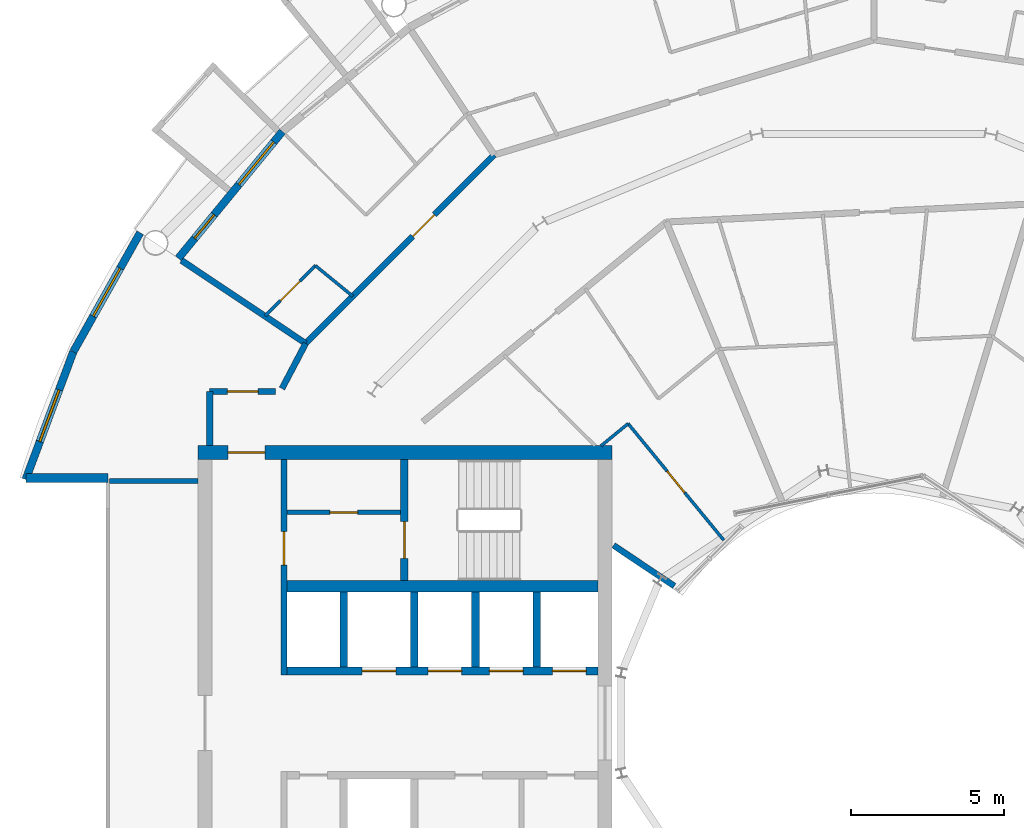
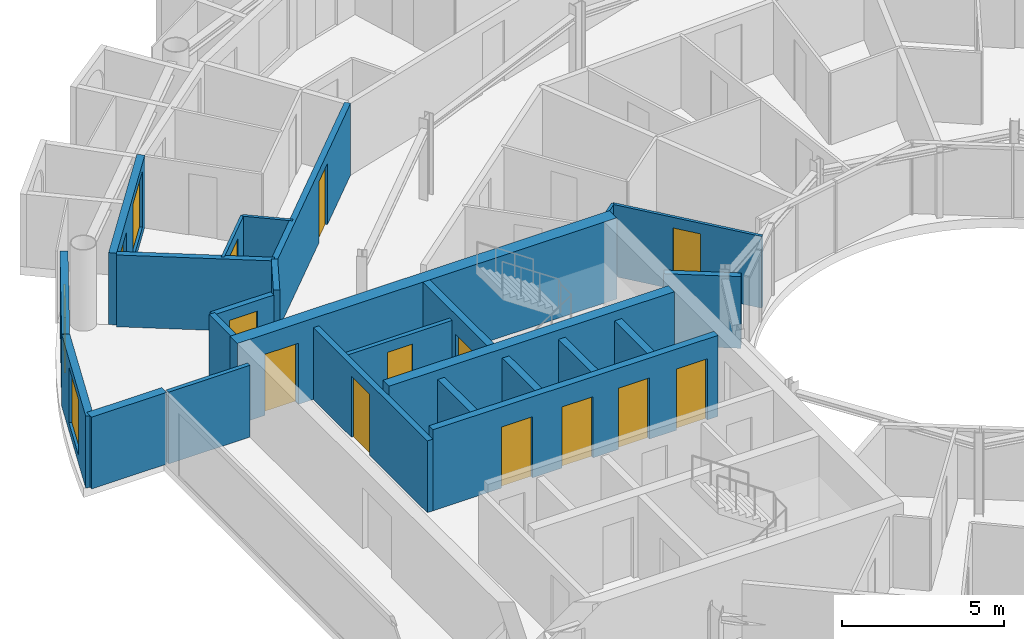
# One storey, part 20 of 29: 25 walls, 13 doors, 3 windows, 16 openings.
"""IFC4 building model written with IfcOpenShell, lengths in metres."""

from ifc_helpers import new_model, si_unit, direction, frame, frame_2d, origin, place, context, subcontext, project, spatial, rectangle, extrude, material, layer, layer_set, type_object, element, fill, save


model = new_model("IFC4")

# Units and contexts
model_context = context("Model", 3, precision=1e-05, world=origin(), true_north=direction((0.0, 1.0)))
body_context = subcontext(model_context, "Body", "Model", "MODEL_VIEW")
ifc_project = project(units=[si_unit("LENGTHUNIT", "METRE"), si_unit("AREAUNIT", "SQUARE_METRE"), si_unit("VOLUMEUNIT", "CUBIC_METRE"), si_unit("PLANEANGLEUNIT", "RADIAN"), si_unit("MASSUNIT", "GRAM", prefix="KILO")], contexts=[model_context])

# Site, building, storey
site_placement = place(None, origin())
site = spatial("IfcSite", under=ifc_project, at=site_placement, CompositionType="ELEMENT")
building_placement = place(site_placement, origin())
building = spatial("IfcBuilding", under=site, at=building_placement, Name="Maasbend Ring Residences", CompositionType="ELEMENT")
storey_placement = place(building_placement, frame((0.0, 0.0, 205.449951171875)))
storey = spatial("IfcBuildingStorey", under=building, at=storey_placement, Name="L59", CompositionType="ELEMENT", Elevation=205.449951171875)

# Wall, openings, doors
ifc_material_1 = material(Name="Concrete C50/60", Category="concrete")
ifc_layer_1 = layer(ifc_material_1, 0.25)
ifc_layer_set_1 = layer_set([ifc_layer_1], Name="Concrete C50/60")
wall_type_1 = type_object("IfcWallType", Name="CORE WALL 250 C50/60", PredefinedType="SHEAR", material=ifc_layer_set_1)
wall_1_placement = place(storey_placement, frame((-9.0, 1.699951171875, 0.0), z_axis=(0.0, 0.0, 1.0), x_axis=(-1.0, 0.0, 0.0)))
wall_1 = element("IfcWall", 1, at=wall_1_placement, inside=storey, type_object=wall_type_1, Name="L59 core W wall SPS", PredefinedType="SHEAR", context=body_context, shape_type="SweptSolid", body=[
    extrude(rectangle(XDim=10.14990234375, YDim=0.25, at=frame_2d((5.074951171875, 0.0))), origin(), (0.0, 0.0, 1.0), 3.050048828125),
])
opening_1_placement = place(wall_1_placement, frame((0.387451171875, 0.0, 0.0)))
opening_1 = element("IfcOpeningElement", 2, at=opening_1_placement, cuts=wall_1, Name="Opening LD-W5902", PredefinedType="OPENING", context=body_context, shape_type="SweptSolid", body=[
    extrude(rectangle(XDim=1.10009765625, YDim=2.300048828125, at=frame_2d((0.550048828125, 1.14990234375))), frame((0.0, 0.135009765625, 0.0), z_axis=(0.0, -1.0, 0.0), x_axis=(1.0, 0.0, 0.0)), (0.0, 0.0, 1.0), 0.27001953125),
])
opening_2_placement = place(wall_1_placement, frame((2.449951171875, 0.0, 0.0)))
opening_2 = element("IfcOpeningElement", 3, at=opening_2_placement, cuts=wall_1, Name="Opening LD-W5903", PredefinedType="OPENING", context=body_context, shape_type="SweptSolid", body=[
    extrude(rectangle(XDim=1.10009765625, YDim=2.300048828125, at=frame_2d((0.550048828125, 1.14990234375))), frame((0.0, 0.135009765625, 0.0), z_axis=(0.0, -1.0, 0.0), x_axis=(1.0, 0.0, 0.0)), (0.0, 0.0, 1.0), 0.27001953125),
])
opening_3_placement = place(wall_1_placement, frame((4.449951171875, 0.0, 0.0)))
opening_3 = element("IfcOpeningElement", 4, at=opening_3_placement, cuts=wall_1, Name="Opening LD-W5904", PredefinedType="OPENING", context=body_context, shape_type="SweptSolid", body=[
    extrude(rectangle(XDim=1.10009765625, YDim=2.300048828125, at=frame_2d((0.550048828125, 1.14990234375))), frame((0.0, 0.135009765625, 0.0), z_axis=(0.0, -1.0, 0.0), x_axis=(1.0, 0.0, 0.0)), (0.0, 0.0, 1.0), 0.27001953125),
])
opening_4_placement = place(wall_1_placement, frame((6.60009765625, 0.0, 0.0)))
opening_4 = element("IfcOpeningElement", 5, at=opening_4_placement, cuts=wall_1, Name="Opening LD-W5905", PredefinedType="OPENING", context=body_context, shape_type="SweptSolid", body=[
    extrude(rectangle(XDim=1.10009765625, YDim=2.300048828125, at=frame_2d((0.550048828125, 1.14990234375))), frame((0.0, 0.135009765625, 0.0), z_axis=(0.0, -1.0, 0.0), x_axis=(1.0, 0.0, 0.0)), (0.0, 0.0, 1.0), 0.27001953125),
])
ifc_material_2 = material(Name="Stainless steel 316", Category="steel")
door_type_1 = type_object("IfcDoorType", Name="LANDING DOOR 1100 X 2300 FD60", OperationType="DOUBLE_DOOR_SLIDING", PredefinedType="DOOR", material=ifc_material_2)
door_1_placement = place(opening_1_placement, origin())
door_1 = element("IfcDoor", 6, at=door_1_placement, inside=storey, type_object=door_type_1, Name="Landing door HR-W1 L59", OperationType="DOUBLE_DOOR_SLIDING", OverallHeight=2.300048828125, OverallWidth=1.10009765625, PredefinedType="DOOR", context=body_context, shape_type="SweptSolid", body=[
    extrude(rectangle(XDim=1.10009765625, YDim=2.300048828125, at=frame_2d((0.550048828125, 1.14990234375))), frame((0.0, 0.02490234375, 0.0), z_axis=(0.0, -1.0, 0.0), x_axis=(1.0, 0.0, 0.0)), (0.0, 0.0, 1.0), 0.050048828125),
])
fill(opening_1, door_1)
door_2_placement = place(opening_2_placement, origin())
door_2 = element("IfcDoor", 7, at=door_2_placement, inside=storey, type_object=door_type_1, Name="Landing door HR-W2 L59", OperationType="DOUBLE_DOOR_SLIDING", OverallHeight=2.300048828125, OverallWidth=1.10009765625, PredefinedType="DOOR", context=body_context, shape_type="SweptSolid", body=[
    extrude(rectangle(XDim=1.10009765625, YDim=2.300048828125, at=frame_2d((0.550048828125, 1.14990234375))), frame((0.0, 0.02490234375, 0.0), z_axis=(0.0, -1.0, 0.0), x_axis=(1.0, 0.0, 0.0)), (0.0, 0.0, 1.0), 0.050048828125),
])
fill(opening_2, door_2)
door_3_placement = place(opening_3_placement, origin())
door_3 = element("IfcDoor", 8, at=door_3_placement, inside=storey, type_object=door_type_1, Name="Landing door HR-W3 L59", OperationType="DOUBLE_DOOR_SLIDING", OverallHeight=2.300048828125, OverallWidth=1.10009765625, PredefinedType="DOOR", context=body_context, shape_type="SweptSolid", body=[
    extrude(rectangle(XDim=1.10009765625, YDim=2.300048828125, at=frame_2d((0.550048828125, 1.14990234375))), frame((0.0, 0.02490234375, 0.0), z_axis=(0.0, -1.0, 0.0), x_axis=(1.0, 0.0, 0.0)), (0.0, 0.0, 1.0), 0.050048828125),
])
fill(opening_3, door_3)
door_4_placement = place(opening_4_placement, origin())
door_4 = element("IfcDoor", 9, at=door_4_placement, inside=storey, type_object=door_type_1, Name="Landing door SV-W L59", OperationType="DOUBLE_DOOR_SLIDING", OverallHeight=2.300048828125, OverallWidth=1.10009765625, PredefinedType="DOOR", context=body_context, shape_type="SweptSolid", body=[
    extrude(rectangle(XDim=1.10009765625, YDim=2.300048828125, at=frame_2d((0.550048828125, 1.14990234375))), frame((0.0, 0.02490234375, 0.0), z_axis=(0.0, -1.0, 0.0), x_axis=(1.0, 0.0, 0.0)), (0.0, 0.0, 1.0), 0.050048828125),
])
fill(opening_4, door_4)

# Wall, opening, door
wall_2_placement = place(storey_placement, frame((-15.324951171875, 8.60009765625, 0.0), z_axis=(0.0, 0.0, 1.0), x_axis=(0.0, -1.0, 0.0)))
wall_2 = element("IfcWall", 10, at=wall_2_placement, inside=storey, type_object=wall_type_1, Name="L59 core W wall STES", PredefinedType="SHEAR", context=body_context, shape_type="SweptSolid", body=[
    extrude(rectangle(XDim=3.9501953125, YDim=0.25, at=frame_2d((1.97509765625, 0.0))), origin(), (0.0, 0.0, 1.0), 3.050048828125),
])
opening_5_placement = place(wall_2_placement, frame((2.02490234375, 0.0, 0.0)))
opening_5 = element("IfcOpeningElement", 11, at=opening_5_placement, cuts=wall_2, Name="Opening D-W5911", PredefinedType="OPENING", context=body_context, shape_type="SweptSolid", body=[
    extrude(rectangle(XDim=1.199951171875, YDim=2.300048828125, at=frame_2d((0.60009765625, 1.14990234375))), frame((0.0, 0.135009765625, 0.0), z_axis=(0.0, -1.0, 0.0), x_axis=(1.0, 0.0, 0.0)), (0.0, 0.0, 1.0), 0.27001953125),
])
ifc_material_3 = material(Name="Steel, powder coated", Category="steel")
door_type_2 = type_object("IfcDoorType", Name="STAIR DOOR 1200 X 2300 FD60", OperationType="NOTDEFINED", PredefinedType="DOOR", material=ifc_material_3)
door_5_placement = place(opening_5_placement, origin())
door_5 = element("IfcDoor", 12, at=door_5_placement, inside=storey, type_object=door_type_2, Name="Stair door ST-W L59", OperationType="SINGLE_SWING_LEFT", OverallHeight=2.300048828125, OverallWidth=1.199951171875, PredefinedType="DOOR", context=body_context, shape_type="SweptSolid", body=[
    extrude(rectangle(XDim=1.199951171875, YDim=2.300048828125, at=frame_2d((0.60009765625, 1.14990234375))), frame((0.0, 0.02490234375, 0.0), z_axis=(0.0, -1.0, 0.0), x_axis=(1.0, 0.0, 0.0)), (0.0, 0.0, 1.0), 0.050048828125),
])
fill(opening_5, door_5)

# Wall
ifc_material_4 = material(Name="Concrete C50/60", Category="concrete")
ifc_layer_2 = layer(ifc_material_4, 0.375)
ifc_layer_set_2 = layer_set([ifc_layer_2], Name="Concrete C50/60")
wall_type_2 = type_object("IfcWallType", Name="CORE WALL 375 C50/60", PredefinedType="SHEAR", material=ifc_layer_set_2)
wall_3_placement = place(storey_placement, frame((-9.0, 4.46240234375, 0.0), z_axis=(0.0, 0.0, 1.0), x_axis=(-1.0, 0.0, 0.0)))
element("IfcWall", 13, at=wall_3_placement, inside=storey, type_object=wall_type_2, Name="L59 core W wall BS", PredefinedType="SHEAR", context=body_context, shape_type="SweptSolid", body=[
    extrude(rectangle(XDim=10.14990234375, YDim=0.375, at=frame_2d((5.074951171875, 0.0))), origin(), (0.0, 0.0, 1.0), 3.050048828125),
])

# Wall, opening, door
ifc_material_5 = material(Name="Concrete C50/60", Category="concrete")
ifc_layer_3 = layer(ifc_material_5, 0.449951171875)
ifc_layer_set_3 = layer_set([ifc_layer_3], Name="Concrete C50/60")
wall_type_3 = type_object("IfcWallType", Name="CORE WALL 450 C50/60", PredefinedType="SHEAR", material=ifc_layer_set_3)
wall_4_placement = place(storey_placement, frame((-8.550048828125, 8.824951171875, 0.0), z_axis=(0.0, 0.0, 1.0), x_axis=(-1.0, 0.0, 0.0)))
wall_4 = element("IfcWall", 14, at=wall_4_placement, inside=storey, type_object=wall_type_3, Name="L59 core W wall PS", PredefinedType="SHEAR", context=body_context, shape_type="SweptSolid", body=[
    extrude(rectangle(XDim=13.5, YDim=0.449951171875, at=frame_2d((6.75, 0.0))), origin(), (0.0, 0.0, 1.0), 3.050048828125),
])
opening_6_placement = place(wall_4_placement, frame((11.324951171875, 0.0, 0.0)))
opening_6 = element("IfcOpeningElement", 15, at=opening_6_placement, cuts=wall_4, Name="Opening D-W5915", PredefinedType="OPENING", context=body_context, shape_type="SweptSolid", body=[
    extrude(rectangle(XDim=1.199951171875, YDim=2.300048828125, at=frame_2d((0.60009765625, 1.14990234375))), frame((0.0, 0.23486328125, 0.0), z_axis=(0.0, -1.0, 0.0), x_axis=(1.0, 0.0, 0.0)), (0.0, 0.0, 1.0), 0.469970703125),
])
ifc_material_6 = material(Name="Steel, powder coated", Category="steel")
door_type_3 = type_object("IfcDoorType", Name="CORRIDOR DOOR 1200 X 2300 FD30S", OperationType="NOTDEFINED", PredefinedType="DOOR", material=ifc_material_6)
door_6_placement = place(opening_6_placement, origin())
door_6 = element("IfcDoor", 16, at=door_6_placement, inside=storey, type_object=door_type_3, Name="Corridor door L59", OperationType="SINGLE_SWING_LEFT", OverallHeight=2.300048828125, OverallWidth=1.199951171875, PredefinedType="DOOR", context=body_context, shape_type="SweptSolid", body=[
    extrude(rectangle(XDim=1.199951171875, YDim=2.300048828125, at=frame_2d((0.60009765625, 1.14990234375))), frame((0.0, 0.02490234375, 0.0), z_axis=(0.0, -1.0, 0.0), x_axis=(1.0, 0.0, 0.0)), (0.0, 0.0, 1.0), 0.050048828125),
])
fill(opening_6, door_6)

ifc_material_7 = material(Name="Concrete C30/37", Category="concrete")
ifc_layer_4 = layer(ifc_material_7, 0.199951171875)
ifc_layer_set_4 = layer_set([ifc_layer_4], Name="Concrete C30/37")
wall_type_4 = type_object("IfcWallType", Name="CORRIDOR WALL 200 CONCRETE", PredefinedType="PARTITIONING", material=ifc_layer_set_4)
wall_5_placement = place(storey_placement, frame((-21.675048828125, 10.824951171875, 0.0), z_axis=(0.0, 0.0, 1.0), x_axis=(1.0, 0.0, 0.0)))
wall_5 = element("IfcWall", 17, at=wall_5_placement, inside=storey, type_object=wall_type_4, Name="U-L59-w093", PredefinedType="PARTITIONING", context=body_context, shape_type="SweptSolid", body=[
    extrude(rectangle(XDim=2.152099609375, YDim=0.199951171875, at=frame_2d((1.076171875, 0.0))), origin(), (0.0, 0.0, 1.0), 2.699951171875),
])
opening_7_placement = place(wall_5_placement, frame((0.575927734375, 0.0, 0.0)))
opening_7 = element("IfcOpeningElement", 18, at=opening_7_placement, cuts=wall_5, Name="Opening D-5969", PredefinedType="OPENING", context=body_context, shape_type="SweptSolid", body=[
    extrude(rectangle(XDim=1.0, YDim=2.300048828125, at=frame_2d((0.5, 1.14990234375))), frame((0.0, 0.10986328125, 0.0), z_axis=(0.0, -1.0, 0.0), x_axis=(1.0, 0.0, 0.0)), (0.0, 0.0, 1.0), 0.219970703125),
])
ifc_material_8 = material(Name="Timber, painted", Category="wood")
door_type_4 = type_object("IfcDoorType", Name="ROOM DOOR 1000 X 2300", OperationType="NOTDEFINED", PredefinedType="DOOR", material=ifc_material_8)
door_7_placement = place(opening_7_placement, origin())
door_7 = element("IfcDoor", 19, at=door_7_placement, inside=storey, type_object=door_type_4, Name="D-5969", OperationType="SINGLE_SWING_LEFT", OverallHeight=2.300048828125, OverallWidth=1.0, PredefinedType="DOOR", context=body_context, shape_type="SweptSolid", body=[
    extrude(rectangle(XDim=1.0, YDim=2.300048828125, at=frame_2d((0.5, 1.14990234375))), frame((0.0, 0.02490234375, 0.0), z_axis=(0.0, -1.0, 0.0), x_axis=(1.0, 0.0, 0.0)), (0.0, 0.0, 1.0), 0.050048828125),
])
fill(opening_7, door_7)

# Wall
wall_6_placement = place(storey_placement, frame((-21.675048828125, 9.050048828125, 0.0), z_axis=(0.0, 0.0, 1.0), x_axis=(0.0, 1.0, 0.0)))
element("IfcWall", 20, at=wall_6_placement, inside=storey, type_object=wall_type_4, Name="U-L59-w106", PredefinedType="PARTITIONING", context=body_context, shape_type="SweptSolid", body=[
    extrude(rectangle(XDim=1.77490234375, YDim=0.199951171875, at=frame_2d((0.887451171875, 0.0))), origin(), (0.0, 0.0, 1.0), 2.699951171875),
])

# Wall, opening, door
wall_7_placement = place(storey_placement, frame((-18.5419921875, 12.388916015625, 0.0), z_axis=(0.0, 0.0, 1.0), x_axis=(0.707106781187, 0.707106781187, 0.0)))
wall_7 = element("IfcWall", 21, at=wall_7_placement, inside=storey, type_object=wall_type_4, Name="U-L59-w107", PredefinedType="PARTITIONING", context=body_context, shape_type="SweptSolid", body=[
    extrude(rectangle(XDim=8.70166015625, YDim=0.199951171875, at=frame_2d((4.350830078125, 0.0))), origin(), (0.0, 0.0, 1.0), 2.699951171875),
])
opening_8_placement = place(wall_7_placement, frame((4.93798828125, 0.0, 0.0)))
opening_8 = element("IfcOpeningElement", 22, at=opening_8_placement, cuts=wall_7, Name="Opening D-5917", PredefinedType="OPENING", context=body_context, shape_type="SweptSolid", body=[
    extrude(rectangle(XDim=1.0, YDim=2.300048828125, at=frame_2d((0.5, 1.14990234375))), frame((0.0, 0.10986328125, 0.0), z_axis=(0.0, -1.0, 0.0), x_axis=(1.0, 0.0, 0.0)), (0.0, 0.0, 1.0), 0.219970703125),
])
ifc_material_9 = material(Name="Timber, fire-rated, painted", Category="wood")
door_type_5 = type_object("IfcDoorType", Name="FLAT ENTRANCE DOOR 1000 X 2300 FIRE-RATED", OperationType="NOTDEFINED", PredefinedType="DOOR", material=ifc_material_9)
door_8_placement = place(opening_8_placement, origin())
door_8 = element("IfcDoor", 23, at=door_8_placement, inside=storey, type_object=door_type_5, Name="D-5917", OperationType="SINGLE_SWING_RIGHT", OverallHeight=2.300048828125, OverallWidth=1.0, PredefinedType="DOOR", context=body_context, shape_type="SweptSolid", body=[
    extrude(rectangle(XDim=1.0, YDim=2.300048828125, at=frame_2d((0.5, 1.14990234375))), frame((0.0, 0.02490234375, 0.0), z_axis=(0.0, -1.0, 0.0), x_axis=(1.0, 0.0, 0.0)), (0.0, 0.0, 1.0), 0.050048828125),
])
fill(opening_8, door_8)

# Wall
wall_8_placement = place(storey_placement, frame((-19.31689453125, 10.9150390625, 0.0), z_axis=(0.0, 0.0, 1.0), x_axis=(0.465359652486, 0.885121683068, 0.0)))
element("IfcWall", 24, at=wall_8_placement, inside=storey, type_object=wall_type_4, Name="U-L59-w111", PredefinedType="PARTITIONING", context=body_context, shape_type="SweptSolid", body=[
    extrude(rectangle(XDim=1.665283203125, YDim=0.199951171875, at=frame_2d((0.83251953125, 0.0))), origin(), (0.0, 0.0, 1.0), 2.699951171875),
])

# Wall, openings, door, window
ifc_material_10 = material(Name="Aluminium clad insulated panel", Category="aluminium")
ifc_layer_5 = layer(ifc_material_10, 0.25)
ifc_layer_set_5 = layer_set([ifc_layer_5], Name="EW-GL")
wall_type_5 = type_object("IfcWallType", Name="EW-GL", PredefinedType="SOLIDWALL", material=ifc_layer_set_5)
wall_9_placement = place(storey_placement, frame((-19.303955078125, 19.303955078125, 0.0), z_axis=(0.0, 0.0, 1.0), x_axis=(-0.634382322723, -0.773019449054, 0.0)))
wall_9 = element("IfcWall", 25, at=wall_9_placement, inside=storey, type_object=wall_type_5, Name="External wall N10", PredefinedType="SOLIDWALL", context=body_context, shape_type="SweptSolid", body=[
    extrude(rectangle(XDim=5.351806640625, YDim=0.25, at=frame_2d((2.67578125, 0.0))), origin(), (0.0, 0.0, 1.0), 2.699951171875),
])
opening_9_placement = place(wall_9_placement, frame((0.441162109375, 0.0, 0.300048828125)))
opening_9 = element("IfcOpeningElement", 26, at=opening_9_placement, cuts=wall_9, Name="Opening W-BX", PredefinedType="OPENING", context=body_context, shape_type="SweptSolid", body=[
    extrude(rectangle(XDim=1.800048828125, YDim=2.10009765625, at=frame_2d((0.89990234375, 1.050048828125))), frame((0.0, 0.135009765625, 0.0), z_axis=(0.0, -1.0, 0.0), x_axis=(1.0, 0.0, 0.0)), (0.0, 0.0, 1.0), 0.27001953125),
])
opening_10_placement = place(wall_9_placement, frame((3.510498046875, 0.0, 0.0)))
opening_10 = element("IfcOpeningElement", 27, at=opening_10_placement, cuts=wall_9, Name="Opening D-LG", PredefinedType="OPENING", context=body_context, shape_type="SweptSolid", body=[
    extrude(rectangle(XDim=1.0, YDim=2.199951171875, at=frame_2d((0.5, 1.10009765625))), frame((0.0, 0.135009765625, 0.0), z_axis=(0.0, -1.0, 0.0), x_axis=(1.0, 0.0, 0.0)), (0.0, 0.0, 1.0), 0.27001953125),
])
ifc_material_11 = material(Name="Aluminium and clear glass", Category="aluminium")
door_type_6 = type_object("IfcDoorType", Name="D-LG", OperationType="SINGLE_SWING_LEFT", PredefinedType="DOOR", material=ifc_material_11)
door_9_placement = place(opening_10_placement, origin())
door_9 = element("IfcDoor", 28, at=door_9_placement, inside=storey, type_object=door_type_6, Name="Loggia door N20", OperationType="SINGLE_SWING_LEFT", OverallHeight=2.199951171875, OverallWidth=1.0, PredefinedType="DOOR", context=body_context, shape_type="SweptSolid", body=[
    extrude(rectangle(XDim=1.0, YDim=2.199951171875, at=frame_2d((0.5, 1.10009765625))), frame((0.0, 0.02490234375, 0.0), z_axis=(0.0, -1.0, 0.0), x_axis=(1.0, 0.0, 0.0)), (0.0, 0.0, 1.0), 0.050048828125),
])
fill(opening_10, door_9)
ifc_material_12 = material(Name="Aluminium and clear glass", Category="aluminium")
window_type = type_object("IfcWindowType", Name="W-BX", PartitioningType="DOUBLE_PANEL_VERTICAL", PredefinedType="WINDOW", material=ifc_material_12)
window_1_placement = place(opening_9_placement, origin())
window_1 = element("IfcWindow", 29, at=window_1_placement, inside=storey, type_object=window_type, Name="Window N19 room to box", OverallHeight=2.10009765625, OverallWidth=1.800048828125, PartitioningType="SINGLE_PANEL", PredefinedType="WINDOW", context=body_context, shape_type="SweptSolid", body=[
    extrude(rectangle(XDim=1.800048828125, YDim=2.10009765625, at=frame_2d((0.89990234375, 1.050048828125))), frame((0.0, 0.030029296875, 0.0), z_axis=(0.0, -1.0, 0.0), x_axis=(1.0, 0.0, 0.0)), (0.0, 0.0, 1.0), 0.06005859375),
])
fill(opening_9, window_1)

# Wall, opening, window
ifc_material_13 = material(Name="Aluminium clad insulated panel", Category="aluminium")
ifc_layer_6 = layer(ifc_material_13, 0.25)
ifc_layer_set_6 = layer_set([ifc_layer_6], Name="EW-HORN")
wall_type_6 = type_object("IfcWallType", Name="EW-HORN", PredefinedType="SOLIDWALL", material=ifc_layer_set_6)
wall_10_placement = place(storey_placement, frame((-23.946044921875, 16.0, 0.0), z_axis=(0.0, 0.0, 1.0), x_axis=(-0.489696356642, -0.871893042919, 0.0)))
wall_10 = element("IfcWall", 30, at=wall_10_placement, inside=storey, type_object=wall_type_6, Name="Horn wall 4.1", PredefinedType="SOLIDWALL", context=body_context, shape_type="SweptSolid", body=[
    extrude(rectangle(XDim=4.45361328125, YDim=0.25, at=frame_2d((2.226806640625, 0.0))), origin(), (0.0, 0.0, 1.0), 2.699951171875),
])
opening_11_placement = place(wall_10_placement, frame((1.32666015625, 0.0, 0.300048828125)))
opening_11 = element("IfcOpeningElement", 31, at=opening_11_placement, cuts=wall_10, Name="Opening W-BX", PredefinedType="OPENING", context=body_context, shape_type="SweptSolid", body=[
    extrude(rectangle(XDim=1.800048828125, YDim=2.10009765625, at=frame_2d((0.89990234375, 1.050048828125))), frame((0.0, 0.135009765625, 0.0), z_axis=(0.0, -1.0, 0.0), x_axis=(1.0, 0.0, 0.0)), (0.0, 0.0, 1.0), 0.27001953125),
])
window_2_placement = place(opening_11_placement, origin())
window_2 = element("IfcWindow", 32, at=window_2_placement, inside=storey, type_object=window_type, Name="Horn window 4.1", OverallHeight=2.10009765625, OverallWidth=1.800048828125, PartitioningType="SINGLE_PANEL", PredefinedType="WINDOW", context=body_context, shape_type="SweptSolid", body=[
    extrude(rectangle(XDim=1.800048828125, YDim=2.10009765625, at=frame_2d((0.89990234375, 1.050048828125))), frame((0.0, 0.030029296875, 0.0), z_axis=(0.0, -1.0, 0.0), x_axis=(1.0, 0.0, 0.0)), (0.0, 0.0, 1.0), 0.06005859375),
])
fill(opening_11, window_2)

wall_11_placement = place(storey_placement, frame((-26.126953125, 12.116943359375, 0.0), z_axis=(0.0, 0.0, 1.0), x_axis=(-0.349247811493, -0.937030397675, 0.0)))
wall_11 = element("IfcWall", 33, at=wall_11_placement, inside=storey, type_object=wall_type_6, Name="Horn wall 4.2", PredefinedType="SOLIDWALL", context=body_context, shape_type="SweptSolid", body=[
    extrude(rectangle(XDim=4.4521484375, YDim=0.25, at=frame_2d((2.22607421875, 0.0))), origin(), (0.0, 0.0, 1.0), 2.699951171875),
])
opening_12_placement = place(wall_11_placement, frame((1.32666015625, 0.0, 0.300048828125)))
opening_12 = element("IfcOpeningElement", 34, at=opening_12_placement, cuts=wall_11, Name="Opening W-BX", PredefinedType="OPENING", context=body_context, shape_type="SweptSolid", body=[
    extrude(rectangle(XDim=1.800048828125, YDim=2.10009765625, at=frame_2d((0.89990234375, 1.050048828125))), frame((0.0, 0.135009765625, 0.0), z_axis=(0.0, -1.0, 0.0), x_axis=(1.0, 0.0, 0.0)), (0.0, 0.0, 1.0), 0.27001953125),
])
window_3_placement = place(opening_12_placement, origin())
window_3 = element("IfcWindow", 35, at=window_3_placement, inside=storey, type_object=window_type, Name="Horn window 4.2", OverallHeight=2.10009765625, OverallWidth=1.800048828125, PartitioningType="SINGLE_PANEL", PredefinedType="WINDOW", context=body_context, shape_type="SweptSolid", body=[
    extrude(rectangle(XDim=1.800048828125, YDim=2.10009765625, at=frame_2d((0.89990234375, 1.050048828125))), frame((0.0, 0.030029296875, 0.0), z_axis=(0.0, -1.0, 0.0), x_axis=(1.0, 0.0, 0.0)), (0.0, 0.0, 1.0), 0.06005859375),
])
fill(opening_12, window_3)

# Walls
ifc_material_14 = material(Name="Aluminium clad insulated panel", Category="aluminium")
ifc_layer_7 = layer(ifc_material_14, 0.300048828125)
ifc_layer_set_7 = layer_set([ifc_layer_7], Name="EW-RET")
wall_type_7 = type_object("IfcWallType", Name="EW-RET", PredefinedType="SOLIDWALL", material=ifc_layer_set_7)
wall_12_placement = place(storey_placement, frame((-25.0, 8.0, 0.0), z_axis=(0.0, 0.0, 1.0), x_axis=(-1.0, 0.0, 0.0)))
element("IfcWall", 36, at=wall_12_placement, inside=storey, type_object=wall_type_7, Name="Notch return wall west north", PredefinedType="SOLIDWALL", context=body_context, shape_type="SweptSolid", body=[
    extrude(rectangle(XDim=2.6669921875, YDim=0.300048828125, at=frame_2d((1.33349609375, 0.0))), origin(), (0.0, 0.0, 1.0), 2.699951171875),
])
ifc_material_15 = material(Name="Gypsum board on steel studs", Category="steel")
ifc_layer_8 = layer(ifc_material_15, 0.10009765625)
ifc_layer_set_8 = layer_set([ifc_layer_8], Name="PARTITION 100 GYPSUM")
wall_type_8 = type_object("IfcWallType", Name="PARTITION 100 GYPSUM", PredefinedType="PARTITIONING", material=ifc_layer_set_8)
wall_13_placement = place(storey_placement, frame((-18.22412109375, 14.927001953125, 0.0), z_axis=(0.0, 0.0, 1.0), x_axis=(0.773446828454, -0.633861186344, 0.0)))
element("IfcWall", 37, at=wall_13_placement, inside=storey, type_object=wall_type_8, Name="U-L59-w030", PredefinedType="PARTITIONING", context=body_context, shape_type="SweptSolid", body=[
    extrude(rectangle(XDim=1.57763671875, YDim=0.10009765625, at=frame_2d((0.788818359375, 0.0))), origin(), (0.0, 0.0, 1.0), 2.699951171875),
])

# Wall, opening, door
wall_14_placement = place(storey_placement, frame((-8.01904296875, 9.77099609375, 0.0), z_axis=(0.0, 0.0, 1.0), x_axis=(0.634401778971, -0.773003481776, 0.0)))
wall_14 = element("IfcWall", 38, at=wall_14_placement, inside=storey, type_object=wall_type_8, Name="U-L59-w051", PredefinedType="PARTITIONING", context=body_context, shape_type="SweptSolid", body=[
    extrude(rectangle(XDim=4.919677734375, YDim=0.10009765625, at=frame_2d((2.4599609375, 0.0))), origin(), (0.0, 0.0, 1.0), 2.699951171875),
])
opening_13_placement = place(wall_14_placement, frame((2.010009765625, 0.0, 0.0)))
opening_13 = element("IfcOpeningElement", 39, at=opening_13_placement, cuts=wall_14, Name="Opening D-5933", PredefinedType="OPENING", context=body_context, shape_type="SweptSolid", body=[
    extrude(rectangle(XDim=0.89990234375, YDim=2.300048828125, at=frame_2d((0.449951171875, 1.14990234375))), frame((0.0, 0.06005859375, 0.0), z_axis=(0.0, -1.0, 0.0), x_axis=(1.0, 0.0, 0.0)), (0.0, 0.0, 1.0), 0.1201171875),
])
ifc_material_16 = material(Name="Timber, painted", Category="wood")
door_type_7 = type_object("IfcDoorType", Name="INTERNAL DOOR 900 X 2300", OperationType="NOTDEFINED", PredefinedType="DOOR", material=ifc_material_16)
door_10_placement = place(opening_13_placement, origin())
door_10 = element("IfcDoor", 40, at=door_10_placement, inside=storey, type_object=door_type_7, Name="D-5933", OperationType="SINGLE_SWING_RIGHT", OverallHeight=2.300048828125, OverallWidth=0.89990234375, PredefinedType="DOOR", context=body_context, shape_type="SweptSolid", body=[
    extrude(rectangle(XDim=0.89990234375, YDim=2.300048828125, at=frame_2d((0.449951171875, 1.14990234375))), frame((0.0, 0.02490234375, 0.0), z_axis=(0.0, -1.0, 0.0), x_axis=(1.0, 0.0, 0.0)), (0.0, 0.0, 1.0), 0.050048828125),
])
fill(opening_13, door_10)

# Wall
wall_15_placement = place(storey_placement, frame((-8.902099609375, 9.0458984375, 0.0), z_axis=(0.0, 0.0, 1.0), x_axis=(0.772842270779, 0.63459815986, 0.0)))
element("IfcWall", 41, at=wall_15_placement, inside=storey, type_object=wall_type_8, Name="U-L59-w099", PredefinedType="PARTITIONING", context=body_context, shape_type="SweptSolid", body=[
    extrude(rectangle(XDim=1.142578125, YDim=0.10009765625, at=frame_2d((0.5712890625, 0.0))), origin(), (0.0, 0.0, 1.0), 2.699951171875),
])

# Wall, opening, door
wall_16_placement = place(storey_placement, frame((-19.866943359375, 13.282958984375, 0.0), z_axis=(0.0, 0.0, 1.0), x_axis=(0.707106781187, 0.707106781187, 0.0)))
wall_16 = element("IfcWall", 42, at=wall_16_placement, inside=storey, type_object=wall_type_8, Name="U-L59-w115", PredefinedType="PARTITIONING", context=body_context, shape_type="SweptSolid", body=[
    extrude(rectangle(XDim=2.33203125, YDim=0.10009765625, at=frame_2d((1.166015625, 0.0))), origin(), (0.0, 0.0, 1.0), 2.699951171875),
])
opening_14_placement = place(wall_16_placement, frame((0.708984375, 0.0, 0.0)))
opening_14 = element("IfcOpeningElement", 43, at=opening_14_placement, cuts=wall_16, Name="Opening D-5918", PredefinedType="OPENING", context=body_context, shape_type="SweptSolid", body=[
    extrude(rectangle(XDim=0.89990234375, YDim=2.300048828125, at=frame_2d((0.449951171875, 1.14990234375))), frame((0.0, 0.06005859375, 0.0), z_axis=(0.0, -1.0, 0.0), x_axis=(1.0, 0.0, 0.0)), (0.0, 0.0, 1.0), 0.1201171875),
])
door_11_placement = place(opening_14_placement, origin())
door_11 = element("IfcDoor", 44, at=door_11_placement, inside=storey, type_object=door_type_7, Name="D-5918", OperationType="SINGLE_SWING_LEFT", OverallHeight=2.300048828125, OverallWidth=0.89990234375, PredefinedType="DOOR", context=body_context, shape_type="SweptSolid", body=[
    extrude(rectangle(XDim=0.89990234375, YDim=2.300048828125, at=frame_2d((0.449951171875, 1.14990234375))), frame((0.0, 0.02490234375, 0.0), z_axis=(0.0, -1.0, 0.0), x_axis=(1.0, 0.0, 0.0)), (0.0, 0.0, 1.0), 0.050048828125),
])
fill(opening_14, door_11)

ifc_material_17 = material(Name="Gypsum board on steel studs", Category="steel")
ifc_layer_9 = layer(ifc_material_17, 0.14990234375)
ifc_layer_set_9 = layer_set([ifc_layer_9], Name="PARTITION 150 EI 60")
wall_type_9 = type_object("IfcWallType", Name="PARTITION 150 EI 60", PredefinedType="PARTITIONING", material=ifc_layer_set_9)
wall_17_placement = place(storey_placement, frame((-15.449951171875, 6.875, 0.0), z_axis=(0.0, 0.0, 1.0), x_axis=(-1.0, 0.0, 0.0)))
wall_17 = element("IfcWall", 45, at=wall_17_placement, inside=storey, type_object=wall_type_9, Name="L59 core W wall RHS", PredefinedType="PARTITIONING", context=body_context, shape_type="SweptSolid", body=[
    extrude(rectangle(XDim=3.699951171875, YDim=0.14990234375, at=frame_2d((1.85009765625, 0.0))), origin(), (0.0, 0.0, 1.0), 2.699951171875),
])
opening_15_placement = place(wall_17_placement, frame((1.39990234375, 0.0, 0.0)))
opening_15 = element("IfcOpeningElement", 46, at=opening_15_placement, cuts=wall_17, Name="Opening D-W5909", PredefinedType="OPENING", context=body_context, shape_type="SweptSolid", body=[
    extrude(rectangle(XDim=0.89990234375, YDim=2.300048828125, at=frame_2d((0.449951171875, 1.14990234375))), frame((0.0, 0.0849609375, 0.0), z_axis=(0.0, -1.0, 0.0), x_axis=(1.0, 0.0, 0.0)), (0.0, 0.0, 1.0), 0.169921875),
])
ifc_material_18 = material(Name="Steel, powder coated", Category="steel")
door_type_8 = type_object("IfcDoorType", Name="RISER DOOR 900 X 2300 FD60", OperationType="NOTDEFINED", PredefinedType="DOOR", material=ifc_material_18)
door_12_placement = place(opening_15_placement, origin())
door_12 = element("IfcDoor", 47, at=door_12_placement, inside=storey, type_object=door_type_8, Name="Riser door L59", OperationType="SINGLE_SWING_LEFT", OverallHeight=2.300048828125, OverallWidth=0.89990234375, PredefinedType="DOOR", context=body_context, shape_type="SweptSolid", body=[
    extrude(rectangle(XDim=0.89990234375, YDim=2.300048828125, at=frame_2d((0.449951171875, 1.14990234375))), frame((0.0, 0.02490234375, 0.0), z_axis=(0.0, -1.0, 0.0), x_axis=(1.0, 0.0, 0.0)), (0.0, 0.0, 1.0), 0.050048828125),
])
fill(opening_15, door_12)

# Walls
wall_18_placement = place(storey_placement, frame((-22.050048828125, 7.89990234375, 0.0), z_axis=(0.0, 0.0, 1.0), x_axis=(-1.0, 0.0, 0.0)))
element("IfcWall", 48, at=wall_18_placement, inside=storey, type_object=wall_type_9, Name="L59 core W wall CITS", PredefinedType="PARTITIONING", context=body_context, shape_type="SweptSolid", body=[
    extrude(rectangle(XDim=2.889892578125, YDim=0.14990234375, at=frame_2d((1.44482421875, 0.0))), origin(), (0.0, 0.0, 1.0), 2.699951171875),
])
ifc_material_19 = material(Name="Concrete C30/37", Category="concrete")
ifc_layer_10 = layer(ifc_material_19, 0.199951171875)
ifc_layer_set_10 = layer_set([ifc_layer_10], Name="Concrete C30/37")
wall_type_10 = type_object("IfcWallType", Name="PARTY WALL 200 CONCRETE", PredefinedType="PARTITIONING", material=ifc_layer_set_10)
wall_19_placement = place(storey_placement, frame((-22.594970703125, 15.097900390625, 0.0), z_axis=(0.0, 0.0, 1.0), x_axis=(0.831387096605, -0.55569370664, 0.0)))
element("IfcWall", 49, at=wall_19_placement, inside=storey, type_object=wall_type_10, Name="U-L59-w036", PredefinedType="PARTITIONING", context=body_context, shape_type="SweptSolid", body=[
    extrude(rectangle(XDim=4.875, YDim=0.199951171875, at=frame_2d((2.4375, 0.0))), origin(), (0.0, 0.0, 1.0), 2.699951171875),
])
wall_20_placement = place(storey_placement, frame((-6.512939453125, 4.471923828125, 0.0), z_axis=(0.0, 0.0, 1.0), x_axis=(-0.831403409976, 0.555669299026, 0.0)))
element("IfcWall", 50, at=wall_20_placement, inside=storey, type_object=wall_type_10, Name="U-L59-w091", PredefinedType="PARTITIONING", context=body_context, shape_type="SweptSolid", body=[
    extrude(rectangle(XDim=2.382568359375, YDim=0.199951171875, at=frame_2d((1.19140625, 0.0))), origin(), (0.0, 0.0, 1.0), 2.699951171875),
])

# Wall, opening, door
ifc_material_20 = material(Name="Concrete C30/37", Category="concrete")
ifc_layer_11 = layer(ifc_material_20, 0.199951171875)
ifc_layer_set_11 = layer_set([ifc_layer_11], Name="Concrete C30/37")
wall_type_11 = type_object("IfcWallType", Name="SHAFT WALL 200 EI 120", PredefinedType="SOLIDWALL", material=ifc_layer_set_11)
wall_21_placement = place(storey_placement, frame((-19.25, 8.60009765625, 0.0), z_axis=(0.0, 0.0, 1.0), x_axis=(0.0, -1.0, 0.0)))
wall_21 = element("IfcWall", 51, at=wall_21_placement, inside=storey, type_object=wall_type_11, Name="L59 core W wall ENDS", PredefinedType="SOLIDWALL", context=body_context, shape_type="SweptSolid", body=[
    extrude(rectangle(XDim=7.025146484375, YDim=0.199951171875, at=frame_2d((3.5126953125, 0.0))), origin(), (0.0, 0.0, 1.0), 2.699951171875),
])
opening_16_placement = place(wall_21_placement, frame((2.35009765625, 0.0, 0.0)))
opening_16 = element("IfcOpeningElement", 52, at=opening_16_placement, cuts=wall_21, Name="Opening D-W5913", PredefinedType="OPENING", context=body_context, shape_type="SweptSolid", body=[
    extrude(rectangle(XDim=1.10009765625, YDim=2.300048828125, at=frame_2d((0.550048828125, 1.14990234375))), frame((0.0, 0.10986328125, 0.0), z_axis=(0.0, -1.0, 0.0), x_axis=(1.0, 0.0, 0.0)), (0.0, 0.0, 1.0), 0.219970703125),
])
ifc_material_21 = material(Name="Steel, powder coated", Category="steel")
door_type_9 = type_object("IfcDoorType", Name="LOBBY DOOR 1100 X 2300 FD60", OperationType="NOTDEFINED", PredefinedType="DOOR", material=ifc_material_21)
door_13_placement = place(opening_16_placement, origin())
door_13 = element("IfcDoor", 53, at=door_13_placement, inside=storey, type_object=door_type_9, Name="Lobby door L59", OperationType="SINGLE_SWING_RIGHT", OverallHeight=2.300048828125, OverallWidth=1.10009765625, PredefinedType="DOOR", context=body_context, shape_type="SweptSolid", body=[
    extrude(rectangle(XDim=1.10009765625, YDim=2.300048828125, at=frame_2d((0.550048828125, 1.14990234375))), frame((0.0, 0.02490234375, 0.0), z_axis=(0.0, -1.0, 0.0), x_axis=(1.0, 0.0, 0.0)), (0.0, 0.0, 1.0), 0.050048828125),
])
fill(opening_16, door_13)

# Walls
ifc_material_22 = material(Name="Concrete C30/37", Category="concrete")
ifc_layer_12 = layer(ifc_material_22, 0.25)
ifc_layer_set_12 = layer_set([ifc_layer_12], Name="Concrete C30/37")
wall_type_12 = type_object("IfcWallType", Name="SHAFT WALL 250 EI 120", PredefinedType="SOLIDWALL", material=ifc_layer_set_12)
for number, where, z_axis, x_axis, name in (
    (54, (-15.0, 1.824951171875, 0.0), (0.0, 0.0, 1.0), (0.0, 1.0, 0.0), "L59 core W wall D150S"),
    (55, (-17.300048828125, 1.824951171875, 0.0), (0.0, 0.0, 1.0), (0.0, 1.0, 0.0), "L59 core W wall D173S"),
    (56, (-11.0, 1.824951171875, 0.0), (0.0, 0.0, 1.0), (0.0, 1.0, 0.0), "L59 core W wall D110S"),
    (57, (-13.0, 1.824951171875, 0.0), (0.0, 0.0, 1.0), (0.0, 1.0, 0.0), "L59 core W wall D130S"),
):
    element("IfcWall", number, at=place(storey_placement, frame(where, z_axis=z_axis, x_axis=x_axis)), inside=storey, type_object=wall_type_12, Name=name, PredefinedType="SOLIDWALL", context=body_context, shape_type="SweptSolid", body=[
        extrude(rectangle(XDim=2.449951171875, YDim=0.25, at=frame_2d((1.22509765625, 0.0))), origin(), (0.0, 0.0, 1.0), 2.699951171875),
    ])

save(model, "model.ifc")
